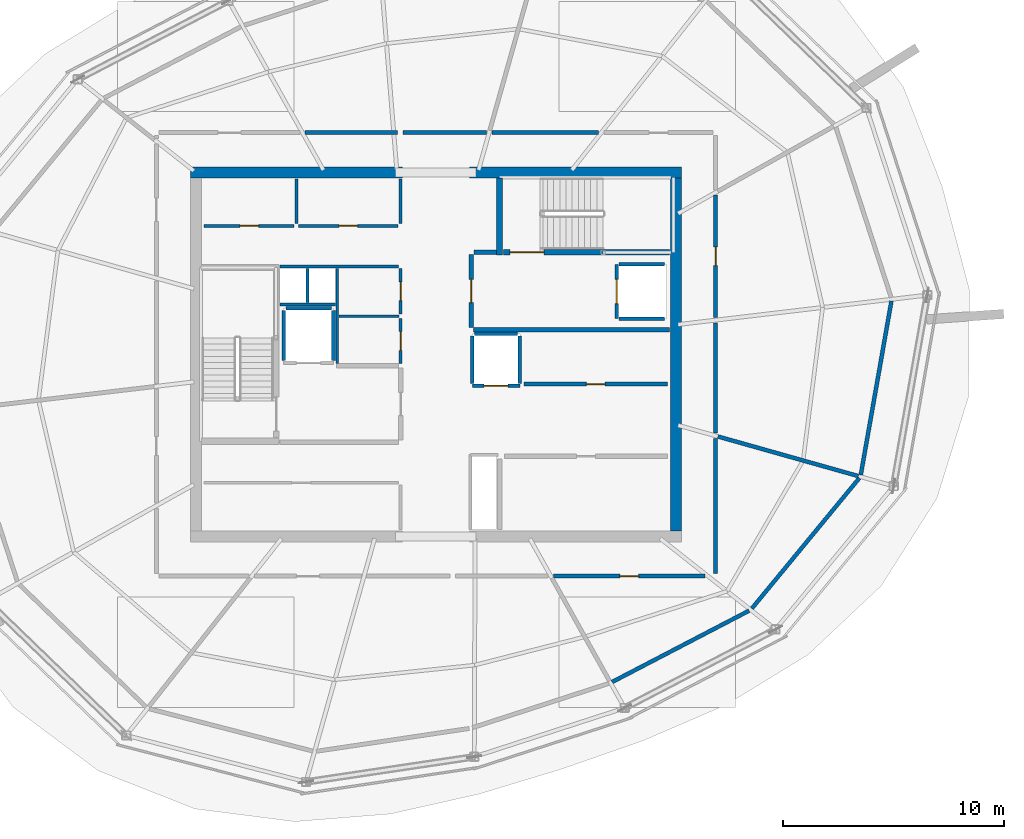
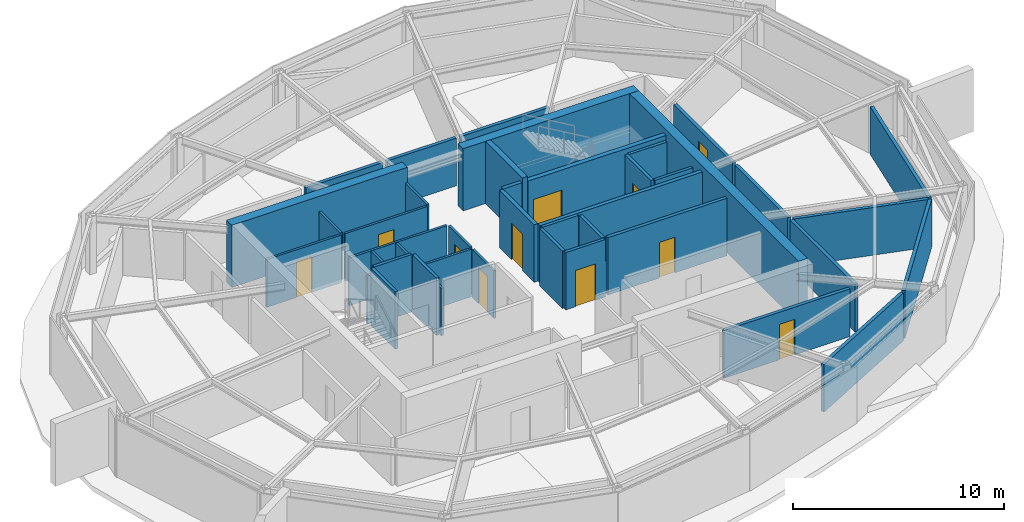
# One storey, part 8 of 10: 41 walls, 11 doors, 11 openings.
"""IFC4 building model written with IfcOpenShell, lengths in metres."""

from ifc_helpers import new_model, si_unit, direction, frame, frame_2d, origin, place, context, subcontext, project, spatial, rectangle, extrude, material, layer, layer_set, type_object, element, fill, save


model = new_model("IFC4")

# Units and contexts
model_context = context("Model", 3, precision=1e-05, world=origin(), true_north=direction((0.0, 1.0)))
body_context = subcontext(model_context, "Body", "Model", "MODEL_VIEW")
ifc_project = project(units=[si_unit("LENGTHUNIT", "METRE"), si_unit("AREAUNIT", "SQUARE_METRE"), si_unit("VOLUMEUNIT", "CUBIC_METRE"), si_unit("PLANEANGLEUNIT", "RADIAN"), si_unit("MASSUNIT", "GRAM", prefix="KILO")], contexts=[model_context])

# Site, building, storey
site_placement = place(None, origin())
site = spatial("IfcSite", under=ifc_project, at=site_placement, CompositionType="ELEMENT")
building_placement = place(site_placement, origin())
building = spatial("IfcBuilding", under=site, at=building_placement, Name="Kazma Halo Residences", CompositionType="ELEMENT")
storey_placement = place(building_placement, frame((0.0, 0.0, 366.800048828125)))
storey = spatial("IfcBuildingStorey", under=building, at=storey_placement, Name="L92", CompositionType="ELEMENT", Elevation=366.800048828125)

# Walls
ifc_material_1 = material(Name="Concrete C60/75", Category="concrete")
ifc_layer_1 = layer(ifc_material_1, 0.5)
ifc_layer_set_1 = layer_set([ifc_layer_1], Name="Concrete C60/75")
wall_type_1 = type_object("IfcWallType", Name="WL-CORE-500", PredefinedType="SHEAR", material=ifc_layer_set_1)
wall_1_placement = place(storey_placement, frame((37.300048828125, 50.25, 0.0), z_axis=(0.0, 0.0, 1.0), x_axis=(1.0, 0.0, 0.0)))
element("IfcWall", 1, at=wall_1_placement, inside=storey, type_object=wall_type_1, Name="L92 central core shear wall NW", PredefinedType="SHEAR", context=body_context, shape_type="SweptSolid", body=[
    extrude(rectangle(XDim=9.599853515625, YDim=0.5, at=frame_2d((4.7998046875, 0.0))), origin(), (0.0, 0.0, 1.0), 3.599853515625),
])
wall_2_placement = place(storey_placement, frame((49.949951171875, 50.25, 0.0), z_axis=(0.0, 0.0, 1.0), x_axis=(1.0, 0.0, 0.0)))
element("IfcWall", 2, at=wall_2_placement, inside=storey, type_object=wall_type_1, Name="L92 central core shear wall NE", PredefinedType="SHEAR", context=body_context, shape_type="SweptSolid", body=[
    extrude(rectangle(XDim=9.60009765625, YDim=0.5, at=frame_2d((4.800048828125, 0.0))), origin(), (0.0, 0.0, 1.0), 3.599853515625),
])
wall_3_placement = place(storey_placement, frame((59.300048828125, 34.0, 0.0), z_axis=(0.0, 0.0, 1.0), x_axis=(0.0, 1.0, 0.0)))
element("IfcWall", 3, at=wall_3_placement, inside=storey, type_object=wall_type_1, Name="L92 central core shear wall E", PredefinedType="SHEAR", context=body_context, shape_type="SweptSolid", body=[
    extrude(rectangle(XDim=16.0, YDim=0.5, at=frame_2d((8.0, 0.0))), origin(), (0.0, 0.0, 1.0), 3.599853515625),
])
ifc_layer_2 = layer(ifc_material_1, 0.280029296875)
ifc_layer_set_2 = layer_set([ifc_layer_2], Name="Concrete C60/75")
wall_type_2 = type_object("IfcWallType", Name="WL-CORE-ST-280", PredefinedType="SHEAR", material=ifc_layer_set_2)
wall_4_placement = place(storey_placement, frame((51.31005859375, 46.5, 0.0), z_axis=(0.0, 0.0, 1.0), x_axis=(0.0, 1.0, 0.0)))
element("IfcWall", 4, at=wall_4_placement, inside=storey, type_object=wall_type_2, Name="L92 stairwell bearing wall ST02-W", PredefinedType="SHEAR", context=body_context, shape_type="SweptSolid", body=[
    extrude(rectangle(XDim=3.5, YDim=0.280029296875, at=frame_2d((1.75, 0.0))), origin(), (0.0, 0.0, 1.0), 3.599853515625),
])
ifc_material_2 = material(Name="Acoustic Twin-Stud Gypsum")
ifc_layer_3 = layer(ifc_material_2, 0.179931640625)
ifc_layer_set_3 = layer_set([ifc_layer_3], Name="Acoustic Twin-Stud Gypsum")
wall_type_3 = type_object("IfcWallType", Name="WL-DEM-180", PredefinedType="PARTITIONING", material=ifc_layer_set_3)
wall_5_placement = place(storey_placement, frame((56.409912109375, 27.14697265625, 0.0), z_axis=(0.0, 0.0, 1.0), x_axis=(0.886949494865, 0.461866423935, 0.0)))
element("IfcWall", 5, at=wall_5_placement, inside=storey, type_object=wall_type_3, Name="L92 crown plant perimeter wall 12", PredefinedType="PARTITIONING", context=body_context, shape_type="SweptSolid", body=[
    extrude(rectangle(XDim=7.002197265625, YDim=0.179931640625, at=frame_2d((3.5009765625, 0.0))), origin(), (0.0, 0.0, 1.0), 2.760009765625),
])
wall_6_placement = place(storey_placement, frame((62.742431640625, 30.479736328125, 0.0), z_axis=(0.0, 0.0, 1.0), x_axis=(0.636018833443, 0.771673534278, 0.0)))
element("IfcWall", 6, at=wall_6_placement, inside=storey, type_object=wall_type_3, Name="L92 crown plant perimeter wall 13", PredefinedType="PARTITIONING", context=body_context, shape_type="SweptSolid", body=[
    extrude(rectangle(XDim=7.661376953125, YDim=0.179931640625, at=frame_2d((3.83056640625, 0.0))), origin(), (0.0, 0.0, 1.0), 2.760009765625),
])
wall_7_placement = place(storey_placement, frame((67.679931640625, 36.532470703125, 0.0), z_axis=(0.0, 0.0, 1.0), x_axis=(0.173668776466, 0.984804120666, 0.0)))
element("IfcWall", 7, at=wall_7_placement, inside=storey, type_object=wall_type_3, Name="L92 crown plant perimeter wall 14", PredefinedType="PARTITIONING", context=body_context, shape_type="SweptSolid", body=[
    extrude(rectangle(XDim=8.005859375, YDim=0.179931640625, at=frame_2d((4.0029296875, 0.0))), origin(), (0.0, 0.0, 1.0), 2.760009765625),
])
wall_8_placement = place(storey_placement, frame((50.71435546875, 52.050048828125, 0.0), z_axis=(0.0, 0.0, 1.0), x_axis=(-1.0, 0.0, 0.0)))
element("IfcWall", 8, at=wall_8_placement, inside=storey, type_object=wall_type_3, Name="L92 L92 District Cooling Chiller Plant Room corridor wall", PredefinedType="PARTITIONING", context=body_context, shape_type="SweptSolid", body=[
    extrude(rectangle(XDim=3.783935546875, YDim=0.179931640625, at=frame_2d((1.89208984375, 0.0))), origin(), (0.0, 0.0, 1.0), 2.760009765625),
])
wall_9_placement = place(storey_placement, frame((46.6904296875, 52.050048828125, 0.0), z_axis=(0.0, 0.0, 1.0), x_axis=(-1.0, 0.0, 0.0)))
element("IfcWall", 9, at=wall_9_placement, inside=storey, type_object=wall_type_3, Name="L92 L92 District Cooling Chiller Plant Room corridor wall", PredefinedType="PARTITIONING", context=body_context, shape_type="SweptSolid", body=[
    extrude(rectangle(XDim=4.19873046875, YDim=0.179931640625, at=frame_2d((2.099365234375, 0.0))), origin(), (0.0, 0.0, 1.0), 2.760009765625),
])

# Wall, opening, door
wall_10_placement = place(storey_placement, frame((53.748291015625, 31.949951171875, 0.0), z_axis=(0.0, 0.0, 1.0), x_axis=(1.0, 0.0, 0.0)))
wall_10 = element("IfcWall", 10, at=wall_10_placement, inside=storey, type_object=wall_type_3, Name="L92 L92 Domestic Break Water Tank Room corridor wall", PredefinedType="PARTITIONING", context=body_context, shape_type="SweptSolid", body=[
    extrude(rectangle(XDim=6.880126953125, YDim=0.179931640625, at=frame_2d((3.43994140625, 0.0))), origin(), (0.0, 0.0, 1.0), 2.760009765625),
])
opening_1_placement = place(wall_10_placement, frame((3.014892578125, 0.0, 0.0)))
opening_1 = element("IfcOpeningElement", 11, at=opening_1_placement, cuts=wall_10, Name="Opening DS-850", PredefinedType="OPENING", context=body_context, shape_type="SweptSolid", body=[
    extrude(rectangle(XDim=0.85009765625, YDim=2.06005859375, at=frame_2d((0.425048828125, 1.030029296875))), frame((0.0, 0.099853515625, 0.0), z_axis=(0.0, -1.0, 0.0), x_axis=(1.0, 0.0, 0.0)), (0.0, 0.0, 1.0), 0.199951171875),
])
ifc_material_3 = material(Name="Painted Steel Access Leaf", Category="steel")
door_type_1 = type_object("IfcDoorType", Name="DR-SVC-850", OperationType="NOTDEFINED", PredefinedType="DOOR", material=ifc_material_3)
door_1_placement = place(opening_1_placement, origin())
door_1 = element("IfcDoor", 12, at=door_1_placement, inside=storey, type_object=door_type_1, Name="L92 L92 Domestic Break Water Tank Room door", OperationType="SINGLE_SWING_RIGHT", OverallHeight=2.06005859375, OverallWidth=0.85009765625, PredefinedType="DOOR", context=body_context, shape_type="SweptSolid", body=[
    extrude(rectangle(XDim=0.85009765625, YDim=2.06005859375, at=frame_2d((0.425048828125, 1.030029296875))), frame((0.0, 0.02490234375, 0.0), z_axis=(0.0, -1.0, 0.0), x_axis=(1.0, 0.0, 0.0)), (0.0, 0.0, 1.0), 0.050048828125),
])
fill(opening_1, door_1)

# Walls
wall_11_placement = place(storey_placement, frame((61.10009765625, 32.070068359375, 0.0), z_axis=(0.0, 0.0, 1.0), x_axis=(0.0, 1.0, 0.0)))
element("IfcWall", 13, at=wall_11_placement, inside=storey, type_object=wall_type_3, Name="L92 L92 Domestic Break Water Tank Room corridor wall", PredefinedType="PARTITIONING", context=body_context, shape_type="SweptSolid", body=[
    extrude(rectangle(XDim=6.115234375, YDim=0.179931640625, at=frame_2d((3.0576171875, 0.0))), origin(), (0.0, 0.0, 1.0), 2.760009765625),
])
wall_12_placement = place(storey_placement, frame((61.205810546875, 38.275390625, 0.0), z_axis=(0.0, 0.0, 1.0), x_axis=(0.962461547865, -0.271418070294, 0.0)))
element("IfcWall", 14, at=wall_12_placement, inside=storey, type_object=wall_type_3, Name="L92 radial partition wall 14", PredefinedType="PARTITIONING", context=body_context, shape_type="SweptSolid", body=[
    extrude(rectangle(XDim=6.6123046875, YDim=0.179931640625, at=frame_2d((3.30615234375, 0.0))), origin(), (0.0, 0.0, 1.0), 2.760009765625),
])
wall_13_placement = place(storey_placement, frame((61.10009765625, 38.42529296875, 0.0), z_axis=(0.0, 0.0, 1.0), x_axis=(0.0, 1.0, 0.0)))
element("IfcWall", 15, at=wall_13_placement, inside=storey, type_object=wall_type_3, Name="L92 L92 HV Switchgear Plant Room corridor wall", PredefinedType="PARTITIONING", context=body_context, shape_type="SweptSolid", body=[
    extrude(rectangle(XDim=5.005126953125, YDim=0.179931640625, at=frame_2d((2.50244140625, 0.0))), origin(), (0.0, 0.0, 1.0), 2.760009765625),
])

# Wall, opening, door
wall_14_placement = place(storey_placement, frame((61.10009765625, 43.67041015625, 0.0), z_axis=(0.0, 0.0, 1.0), x_axis=(0.0, 1.0, 0.0)))
wall_14 = element("IfcWall", 16, at=wall_14_placement, inside=storey, type_object=wall_type_3, Name="L92 L92 HV Switchgear Plant Room corridor wall", PredefinedType="PARTITIONING", context=body_context, shape_type="SweptSolid", body=[
    extrude(rectangle(XDim=5.5458984375, YDim=0.179931640625, at=frame_2d((2.77294921875, 0.0))), origin(), (0.0, 0.0, 1.0), 2.760009765625),
])
opening_2_placement = place(wall_14_placement, frame((2.347900390625, 0.0, 0.0)))
opening_2 = element("IfcOpeningElement", 17, at=opening_2_placement, cuts=wall_14, Name="Opening DS-850", PredefinedType="OPENING", context=body_context, shape_type="SweptSolid", body=[
    extrude(rectangle(XDim=0.85009765625, YDim=2.06005859375, at=frame_2d((0.425048828125, 1.030029296875))), frame((0.0, 0.099853515625, 0.0), z_axis=(0.0, -1.0, 0.0), x_axis=(1.0, 0.0, 0.0)), (0.0, 0.0, 1.0), 0.199951171875),
])
door_2_placement = place(opening_2_placement, origin())
door_2 = element("IfcDoor", 18, at=door_2_placement, inside=storey, type_object=door_type_1, Name="L92 L92 HV Switchgear Plant Room door", OperationType="SINGLE_SWING_LEFT", OverallHeight=2.06005859375, OverallWidth=0.85009765625, PredefinedType="DOOR", context=body_context, shape_type="SweptSolid", body=[
    extrude(rectangle(XDim=0.85009765625, YDim=2.06005859375, at=frame_2d((0.425048828125, 1.030029296875))), frame((0.0, 0.02490234375, 0.0), z_axis=(0.0, -1.0, 0.0), x_axis=(1.0, 0.0, 0.0)), (0.0, 0.0, 1.0), 0.050048828125),
])
fill(opening_2, door_2)

# Walls
wall_15_placement = place(storey_placement, frame((55.802734375, 52.050048828125, 0.0), z_axis=(0.0, 0.0, 1.0), x_axis=(-1.0, 0.0, 0.0)))
element("IfcWall", 19, at=wall_15_placement, inside=storey, type_object=wall_type_3, Name="L92 L92 Lift Machine Mechanical Plant Room corridor wall", PredefinedType="PARTITIONING", context=body_context, shape_type="SweptSolid", body=[
    extrude(rectangle(XDim=4.848388671875, YDim=0.179931640625, at=frame_2d((2.42431640625, 0.0))), origin(), (0.0, 0.0, 1.0), 2.760009765625),
])
ifc_material_4 = material(Name="Fire-Rated Blockwork Masonry", Category="masonry")
ifc_layer_4 = layer(ifc_material_4, 0.199951171875)
ifc_layer_set_4 = layer_set([ifc_layer_4], Name="Fire-Rated Blockwork Masonry")
wall_type_4 = type_object("IfcWallType", Name="WL-FLB-200", PredefinedType="PARTITIONING", material=ifc_layer_set_4)
for number, where, z_axis, x_axis, name in (
    (20, (43.780029296875, 41.719970703125, 0.0), (0.0, 0.0, 1.0), (0.0, 1.0, 0.0), "L92 lift shaft FL-01 side wall E"),
    (21, (41.52001953125, 41.719970703125, 0.0), (0.0, 0.0, 1.0), (0.0, 1.0, 0.0), "L92 lift shaft FL-01 side wall W"),
):
    element("IfcWall", number, at=place(storey_placement, frame(where, z_axis=z_axis, x_axis=x_axis)), inside=storey, type_object=wall_type_4, Name=name, PredefinedType="PARTITIONING", context=body_context, shape_type="SweptSolid", body=[
        extrude(rectangle(XDim=2.260009765625, YDim=0.159912109375, at=frame_2d((1.1298828125, 0.0))), origin(), (0.0, 0.0, 1.0), 3.320068359375),
    ])
wall_16_placement = place(storey_placement, frame((41.6201171875, 44.080078125, 0.0), z_axis=(0.0, 0.0, 1.0), x_axis=(1.0, 0.0, 0.0)))
element("IfcWall", 22, at=wall_16_placement, inside=storey, type_object=wall_type_4, Name="L92 lift shaft FL-01 side wall N", PredefinedType="PARTITIONING", context=body_context, shape_type="SweptSolid", body=[
    extrude(rectangle(XDim=2.059814453125, YDim=0.159912109375, at=frame_2d((1.02978515625, 0.0))), origin(), (0.0, 0.0, 1.0), 3.320068359375),
])

# Wall, opening, door
wall_17_placement = place(storey_placement, frame((56.6201171875, 46.080078125, 0.0), z_axis=(0.0, 0.0, 1.0), x_axis=(0.0, -1.0, 0.0)))
wall_17 = element("IfcWall", 23, at=wall_17_placement, inside=storey, type_object=wall_type_4, Name="L92 lift shaft FL-02 front wall", PredefinedType="PARTITIONING", context=body_context, shape_type="SweptSolid", body=[
    extrude(rectangle(XDim=2.4599609375, YDim=0.159912109375, at=frame_2d((1.22998046875, 0.0))), origin(), (0.0, 0.0, 1.0), 3.320068359375),
])
opening_3_placement = place(wall_17_placement, frame((0.679931640625, 0.0, 0.0)))
opening_3 = element("IfcOpeningElement", 24, at=opening_3_placement, cuts=wall_17, Name="Opening LD-FL-02", PredefinedType="OPENING", context=body_context, shape_type="SweptSolid", body=[
    extrude(rectangle(XDim=1.10009765625, YDim=2.10009765625, at=frame_2d((0.550048828125, 1.050048828125))), frame((0.0, 0.08984375, 0.0), z_axis=(0.0, -1.0, 0.0), x_axis=(1.0, 0.0, 0.0)), (0.0, 0.0, 1.0), 0.179931640625),
])
ifc_material_5 = material(Name="Stainless Steel Fire-Rated", Category="steel")
door_type_2 = type_object("IfcDoorType", Name="DR-LIFT-SLD-1100", OperationType="DOUBLE_DOOR_SLIDING", PredefinedType="DOOR", material=ifc_material_5)
door_3_placement = place(opening_3_placement, origin())
door_3 = element("IfcDoor", 25, at=door_3_placement, inside=storey, type_object=door_type_2, Name="L92 lift FL-02 sliding landing door", OperationType="DOUBLE_DOOR_SLIDING", OverallHeight=2.10009765625, OverallWidth=1.10009765625, PredefinedType="DOOR", context=body_context, shape_type="SweptSolid", body=[
    extrude(rectangle(XDim=1.10009765625, YDim=2.10009765625, at=frame_2d((0.550048828125, 1.050048828125))), frame((0.0, 0.02490234375, 0.0), z_axis=(0.0, -1.0, 0.0), x_axis=(1.0, 0.0, 0.0)), (0.0, 0.0, 1.0), 0.050048828125),
])
fill(opening_3, door_3)

# Walls
for number, where, z_axis, x_axis, name in (
    (26, (56.719970703125, 46.080078125, 0.0), (0.0, 0.0, 1.0), (1.0, 0.0, 0.0), "L92 lift shaft FL-02 side wall N"),
    (27, (56.719970703125, 43.6201171875, 0.0), (0.0, 0.0, 1.0), (1.0, 0.0, 0.0), "L92 lift shaft FL-02 side wall S"),
):
    element("IfcWall", number, at=place(storey_placement, frame(where, z_axis=z_axis, x_axis=x_axis)), inside=storey, type_object=wall_type_4, Name=name, PredefinedType="PARTITIONING", context=body_context, shape_type="SweptSolid", body=[
        extrude(rectangle(XDim=2.06005859375, YDim=0.159912109375, at=frame_2d((1.030029296875, 0.0))), origin(), (0.0, 0.0, 1.0), 3.320068359375),
    ])

# Wall, opening, door
wall_18_placement = place(storey_placement, frame((52.22998046875, 40.570068359375, 0.0), z_axis=(0.0, 0.0, 1.0), x_axis=(-1.0, 0.0, 0.0)))
wall_18 = element("IfcWall", 28, at=wall_18_placement, inside=storey, type_object=wall_type_4, Name="L92 lift shaft SV-01 front wall", PredefinedType="PARTITIONING", context=body_context, shape_type="SweptSolid", body=[
    extrude(rectangle(XDim=2.159912109375, YDim=0.159912109375, at=frame_2d((1.080078125, 0.0))), origin(), (0.0, 0.0, 1.0), 3.320068359375),
])
opening_4_placement = place(wall_18_placement, frame((0.530029296875, 0.0, 0.0)))
opening_4 = element("IfcOpeningElement", 29, at=opening_4_placement, cuts=wall_18, Name="Opening LD-SV-01", PredefinedType="OPENING", context=body_context, shape_type="SweptSolid", body=[
    extrude(rectangle(XDim=1.10009765625, YDim=2.10009765625, at=frame_2d((0.550048828125, 1.050048828125))), frame((0.0, 0.08984375, 0.0), z_axis=(0.0, -1.0, 0.0), x_axis=(1.0, 0.0, 0.0)), (0.0, 0.0, 1.0), 0.179931640625),
])
door_4_placement = place(opening_4_placement, origin())
door_4 = element("IfcDoor", 30, at=door_4_placement, inside=storey, type_object=door_type_2, Name="L92 lift SV-01 sliding landing door", OperationType="DOUBLE_DOOR_SLIDING", OverallHeight=2.10009765625, OverallWidth=1.10009765625, PredefinedType="DOOR", context=body_context, shape_type="SweptSolid", body=[
    extrude(rectangle(XDim=1.10009765625, YDim=2.10009765625, at=frame_2d((0.550048828125, 1.050048828125))), frame((0.0, 0.02490234375, 0.0), z_axis=(0.0, -1.0, 0.0), x_axis=(1.0, 0.0, 0.0)), (0.0, 0.0, 1.0), 0.050048828125),
])
fill(opening_4, door_4)

# Walls
for number, where, z_axis, x_axis, name in (
    (31, (52.22998046875, 40.669921875, 0.0), (0.0, 0.0, 1.0), (0.0, 1.0, 0.0), "L92 lift shaft SV-01 side wall E"),
    (32, (50.070068359375, 40.669921875, 0.0), (0.0, 0.0, 1.0), (0.0, 1.0, 0.0), "L92 lift shaft SV-01 side wall W"),
):
    element("IfcWall", number, at=place(storey_placement, frame(where, z_axis=z_axis, x_axis=x_axis)), inside=storey, type_object=wall_type_4, Name=name, PredefinedType="PARTITIONING", context=body_context, shape_type="SweptSolid", body=[
        extrude(rectangle(XDim=2.16015625, YDim=0.159912109375, at=frame_2d((1.080078125, 0.0))), origin(), (0.0, 0.0, 1.0), 3.320068359375),
    ])
wall_19_placement = place(storey_placement, frame((50.169921875, 42.929931640625, 0.0), z_axis=(0.0, 0.0, 1.0), x_axis=(1.0, 0.0, 0.0)))
element("IfcWall", 33, at=wall_19_placement, inside=storey, type_object=wall_type_4, Name="L92 lift shaft SV-01 side wall N", PredefinedType="PARTITIONING", context=body_context, shape_type="SweptSolid", body=[
    extrude(rectangle(XDim=1.9599609375, YDim=0.159912109375, at=frame_2d((0.97998046875, 0.0))), origin(), (0.0, 0.0, 1.0), 3.320068359375),
])

# Wall, opening, door
wall_20_placement = place(storey_placement, frame((52.419921875, 40.64990234375, 0.0), z_axis=(0.0, 0.0, 1.0), x_axis=(1.0, 0.0, 0.0)))
wall_20 = element("IfcWall", 34, at=wall_20_placement, inside=storey, type_object=wall_type_4, Name="L92 core east reserve wall", PredefinedType="PARTITIONING", context=body_context, shape_type="SweptSolid", body=[
    extrude(rectangle(XDim=6.5, YDim=0.179931640625, at=frame_2d((3.25, 0.0))), origin(), (0.0, 0.0, 1.0), 3.320068359375),
])
opening_5_placement = place(wall_20_placement, frame((2.824951171875, 0.0, 0.0)))
opening_5 = element("IfcOpeningElement", 35, at=opening_5_placement, cuts=wall_20, Name="Opening DS-850", PredefinedType="OPENING", context=body_context, shape_type="SweptSolid", body=[
    extrude(rectangle(XDim=0.85009765625, YDim=2.06005859375, at=frame_2d((0.425048828125, 1.030029296875))), frame((0.0, 0.099853515625, 0.0), z_axis=(0.0, -1.0, 0.0), x_axis=(1.0, 0.0, 0.0)), (0.0, 0.0, 1.0), 0.199951171875),
])
door_5_placement = place(opening_5_placement, origin())
door_5 = element("IfcDoor", 36, at=door_5_placement, inside=storey, type_object=door_type_1, Name="L92 core east reserve door", OperationType="SINGLE_SWING_LEFT", OverallHeight=2.06005859375, OverallWidth=0.85009765625, PredefinedType="DOOR", context=body_context, shape_type="SweptSolid", body=[
    extrude(rectangle(XDim=0.85009765625, YDim=2.06005859375, at=frame_2d((0.425048828125, 1.030029296875))), frame((0.0, 0.02490234375, 0.0), z_axis=(0.0, -1.0, 0.0), x_axis=(1.0, 0.0, 0.0)), (0.0, 0.0, 1.0), 0.050048828125),
])
fill(opening_5, door_5)

# Walls
wall_21_placement = place(storey_placement, frame((50.1201171875, 43.1201171875, 0.0), z_axis=(0.0, 0.0, 1.0), x_axis=(1.0, 0.0, 0.0)))
element("IfcWall", 37, at=wall_21_placement, inside=storey, type_object=wall_type_4, Name="L92 east firefighting lobby south smoke wall", PredefinedType="PARTITIONING", context=body_context, shape_type="SweptSolid", body=[
    extrude(rectangle(XDim=8.8798828125, YDim=0.199951171875, at=frame_2d((4.43994140625, 0.0))), origin(), (0.0, 0.0, 1.0), 3.320068359375),
])
wall_22_placement = place(storey_placement, frame((50.139892578125, 46.6201171875, 0.0), z_axis=(0.0, 0.0, 1.0), x_axis=(1.0, 0.0, 0.0)))
element("IfcWall", 38, at=wall_22_placement, inside=storey, type_object=wall_type_4, Name="L92 east firefighting lobby north closure wall", PredefinedType="PARTITIONING", context=body_context, shape_type="SweptSolid", body=[
    extrude(rectangle(XDim=1.02001953125, YDim=0.199951171875, at=frame_2d((0.510009765625, 0.0))), origin(), (0.0, 0.0, 1.0), 3.320068359375),
])

# Wall, opening, door
wall_23_placement = place(storey_placement, frame((50.02001953125, 43.219970703125, 0.0), z_axis=(0.0, 0.0, 1.0), x_axis=(0.0, 1.0, 0.0)))
wall_23 = element("IfcWall", 39, at=wall_23_placement, inside=storey, type_object=wall_type_4, Name="L92 east firefighting lobby smoke wall", PredefinedType="PARTITIONING", context=body_context, shape_type="SweptSolid", body=[
    extrude(rectangle(XDim=3.300048828125, YDim=0.199951171875, at=frame_2d((1.64990234375, 0.0))), origin(), (0.0, 0.0, 1.0), 3.320068359375),
])
opening_6_placement = place(wall_23_placement, frame((1.125, 0.0, 0.0)))
opening_6 = element("IfcOpeningElement", 40, at=opening_6_placement, cuts=wall_23, Name="Opening D-FLE", PredefinedType="OPENING", context=body_context, shape_type="SweptSolid", body=[
    extrude(rectangle(XDim=1.050048828125, YDim=2.10009765625, at=frame_2d((0.52490234375, 1.050048828125))), frame((0.0, 0.10986328125, 0.0), z_axis=(0.0, -1.0, 0.0), x_axis=(1.0, 0.0, 0.0)), (0.0, 0.0, 1.0), 0.219970703125),
])
ifc_material_6 = material(Name="Fire-Rated Steel Leaf", Category="steel")
door_type_3 = type_object("IfcDoorType", Name="DR-FD90-1050", OperationType="NOTDEFINED", PredefinedType="DOOR", material=ifc_material_6)
door_6_placement = place(opening_6_placement, origin())
door_6 = element("IfcDoor", 41, at=door_6_placement, inside=storey, type_object=door_type_3, Name="L92 east firefighting lobby smoke door", OperationType="SINGLE_SWING_RIGHT", OverallHeight=2.10009765625, OverallWidth=1.050048828125, PredefinedType="DOOR", context=body_context, shape_type="SweptSolid", body=[
    extrude(rectangle(XDim=1.050048828125, YDim=2.10009765625, at=frame_2d((0.52490234375, 1.050048828125))), frame((0.0, 0.02490234375, 0.0), z_axis=(0.0, -1.0, 0.0), x_axis=(1.0, 0.0, 0.0)), (0.0, 0.0, 1.0), 0.050048828125),
])
fill(opening_6, door_6)

# Walls
ifc_material_7 = material(Name="Gypsum Plasterboard Partition")
ifc_layer_5 = layer(ifc_material_7, 0.125)
ifc_layer_set_5 = layer_set([ifc_layer_5], Name="Gypsum Plasterboard Partition")
wall_type_5 = type_object("IfcWallType", Name="WL-PART-125", PredefinedType="PARTITIONING", material=ifc_layer_set_5)
for number, where, z_axis, x_axis, name in (
    (42, (46.820068359375, 47.919921875, 0.0), (0.0, 0.0, 1.0), (0.0, 1.0, 0.0), "L92 reclaimed north east wall"),
    (43, (42.10009765625, 47.919921875, 0.0), (0.0, 0.0, 1.0), (0.0, 1.0, 0.0), "L92 reclaimed north divider wall"),
):
    element("IfcWall", number, at=place(storey_placement, frame(where, z_axis=z_axis, x_axis=x_axis)), inside=storey, type_object=wall_type_5, Name=name, PredefinedType="PARTITIONING", context=body_context, shape_type="SweptSolid", body=[
        extrude(rectangle(XDim=2.030029296875, YDim=0.125, at=frame_2d((1.01513671875, 0.0))), origin(), (0.0, 0.0, 1.0), 2.760009765625),
    ])

# Wall, opening, door
wall_24_placement = place(storey_placement, frame((37.919921875, 47.820068359375, 0.0), z_axis=(0.0, 0.0, 1.0), x_axis=(1.0, 0.0, 0.0)))
wall_24 = element("IfcWall", 44, at=wall_24_placement, inside=storey, type_object=wall_type_5, Name="L92 reclaimed north W front wall", PredefinedType="PARTITIONING", context=body_context, shape_type="SweptSolid", body=[
    extrude(rectangle(XDim=4.080078125, YDim=0.125, at=frame_2d((2.0400390625, 0.0))), origin(), (0.0, 0.0, 1.0), 2.760009765625),
])
opening_7_placement = place(wall_24_placement, frame((1.614990234375, 0.0, 0.0)))
opening_7 = element("IfcOpeningElement", 45, at=opening_7_placement, cuts=wall_24, Name="Opening DS-850", PredefinedType="OPENING", context=body_context, shape_type="SweptSolid", body=[
    extrude(rectangle(XDim=0.85009765625, YDim=2.06005859375, at=frame_2d((0.425048828125, 1.030029296875))), frame((0.0, 0.072509765625, 0.0), z_axis=(0.0, -1.0, 0.0), x_axis=(1.0, 0.0, 0.0)), (0.0, 0.0, 1.0), 0.14501953125),
])
door_7_placement = place(opening_7_placement, origin())
door_7 = element("IfcDoor", 46, at=door_7_placement, inside=storey, type_object=door_type_1, Name="L92 reclaimed north W door", OperationType="SINGLE_SWING_RIGHT", OverallHeight=2.06005859375, OverallWidth=0.85009765625, PredefinedType="DOOR", context=body_context, shape_type="SweptSolid", body=[
    extrude(rectangle(XDim=0.85009765625, YDim=2.06005859375, at=frame_2d((0.425048828125, 1.030029296875))), frame((0.0, 0.02490234375, 0.0), z_axis=(0.0, -1.0, 0.0), x_axis=(1.0, 0.0, 0.0)), (0.0, 0.0, 1.0), 0.050048828125),
])
fill(opening_7, door_7)

wall_25_placement = place(storey_placement, frame((42.199951171875, 47.820068359375, 0.0), z_axis=(0.0, 0.0, 1.0), x_axis=(1.0, 0.0, 0.0)))
wall_25 = element("IfcWall", 47, at=wall_25_placement, inside=storey, type_object=wall_type_5, Name="L92 reclaimed north E front wall", PredefinedType="PARTITIONING", context=body_context, shape_type="SweptSolid", body=[
    extrude(rectangle(XDim=4.5, YDim=0.125, at=frame_2d((2.25, 0.0))), origin(), (0.0, 0.0, 1.0), 2.760009765625),
])
opening_8_placement = place(wall_25_placement, frame((1.824951171875, 0.0, 0.0)))
opening_8 = element("IfcOpeningElement", 48, at=opening_8_placement, cuts=wall_25, Name="Opening DS-850", PredefinedType="OPENING", context=body_context, shape_type="SweptSolid", body=[
    extrude(rectangle(XDim=0.85009765625, YDim=2.06005859375, at=frame_2d((0.425048828125, 1.030029296875))), frame((0.0, 0.072509765625, 0.0), z_axis=(0.0, -1.0, 0.0), x_axis=(1.0, 0.0, 0.0)), (0.0, 0.0, 1.0), 0.14501953125),
])
door_8_placement = place(opening_8_placement, origin())
door_8 = element("IfcDoor", 49, at=door_8_placement, inside=storey, type_object=door_type_1, Name="L92 reclaimed north E door", OperationType="SINGLE_SWING_LEFT", OverallHeight=2.06005859375, OverallWidth=0.85009765625, PredefinedType="DOOR", context=body_context, shape_type="SweptSolid", body=[
    extrude(rectangle(XDim=0.85009765625, YDim=2.06005859375, at=frame_2d((0.425048828125, 1.030029296875))), frame((0.0, 0.02490234375, 0.0), z_axis=(0.0, -1.0, 0.0), x_axis=(1.0, 0.0, 0.0)), (0.0, 0.0, 1.0), 0.050048828125),
])
fill(opening_8, door_8)

# Walls
wall_26_placement = place(storey_placement, frame((41.360107421875, 45.97998046875, 0.0), z_axis=(0.0, 0.0, 1.0), x_axis=(1.0, 0.0, 0.0)))
element("IfcWall", 50, at=wall_26_placement, inside=storey, type_object=wall_type_5, Name="L92 core north riser wall", PredefinedType="PARTITIONING", context=body_context, shape_type="SweptSolid", body=[
    extrude(rectangle(XDim=5.35986328125, YDim=0.125, at=frame_2d((2.679931640625, 0.0))), origin(), (0.0, 0.0, 1.0), 2.760009765625),
])
wall_27_placement = place(storey_placement, frame((41.360107421875, 44.260009765625, 0.0), z_axis=(0.0, 0.0, 1.0), x_axis=(1.0, 0.0, 0.0)))
element("IfcWall", 51, at=wall_27_placement, inside=storey, type_object=wall_type_5, Name="L92 core riser south wall", PredefinedType="PARTITIONING", context=body_context, shape_type="SweptSolid", body=[
    extrude(rectangle(XDim=2.5, YDim=0.125, at=frame_2d((1.25, 0.0))), origin(), (0.0, 0.0, 1.0), 2.760009765625),
])
wall_28_placement = place(storey_placement, frame((42.60009765625, 44.35009765625, 0.0), z_axis=(0.0, 0.0, 1.0), x_axis=(0.0, 1.0, 0.0)))
element("IfcWall", 52, at=wall_28_placement, inside=storey, type_object=wall_type_5, Name="L92 core riser divider wall", PredefinedType="PARTITIONING", context=body_context, shape_type="SweptSolid", body=[
    extrude(rectangle(XDim=1.5498046875, YDim=0.125, at=frame_2d((0.77490234375, 0.0))), origin(), (0.0, 0.0, 1.0), 2.760009765625),
])
wall_29_placement = place(storey_placement, frame((43.949951171875, 41.580078125, 0.0), z_axis=(0.0, 0.0, 1.0), x_axis=(0.0, 1.0, 0.0)))
element("IfcWall", 53, at=wall_29_placement, inside=storey, type_object=wall_type_5, Name="L92 core service west wall", PredefinedType="PARTITIONING", context=body_context, shape_type="SweptSolid", body=[
    extrude(rectangle(XDim=4.31982421875, YDim=0.125, at=frame_2d((2.159912109375, 0.0))), origin(), (0.0, 0.0, 1.0), 2.760009765625),
])
wall_30_placement = place(storey_placement, frame((44.030029296875, 43.72998046875, 0.0), z_axis=(0.0, 0.0, 1.0), x_axis=(1.0, 0.0, 0.0)))
element("IfcWall", 54, at=wall_30_placement, inside=storey, type_object=wall_type_5, Name="L92 switch/IDF divider", PredefinedType="PARTITIONING", context=body_context, shape_type="SweptSolid", body=[
    extrude(rectangle(XDim=2.7099609375, YDim=0.125, at=frame_2d((1.35498046875, 0.0))), origin(), (0.0, 0.0, 1.0), 2.760009765625),
])

# Wall, opening, door
wall_31_placement = place(storey_placement, frame((46.820068359375, 41.580078125, 0.0), z_axis=(0.0, 0.0, 1.0), x_axis=(0.0, 1.0, 0.0)))
wall_31 = element("IfcWall", 55, at=wall_31_placement, inside=storey, type_object=wall_type_5, Name="L92 electrical switch room east wall", PredefinedType="PARTITIONING", context=body_context, shape_type="SweptSolid", body=[
    extrude(rectangle(XDim=2.0498046875, YDim=0.125, at=frame_2d((1.02490234375, 0.0))), origin(), (0.0, 0.0, 1.0), 2.760009765625),
])
opening_9_placement = place(wall_31_placement, frame((0.60009765625, 0.0, 0.0)))
opening_9 = element("IfcOpeningElement", 56, at=opening_9_placement, cuts=wall_31, Name="Opening DS-850", PredefinedType="OPENING", context=body_context, shape_type="SweptSolid", body=[
    extrude(rectangle(XDim=0.85009765625, YDim=2.06005859375, at=frame_2d((0.425048828125, 1.030029296875))), frame((0.0, 0.072509765625, 0.0), z_axis=(0.0, -1.0, 0.0), x_axis=(1.0, 0.0, 0.0)), (0.0, 0.0, 1.0), 0.14501953125),
])
door_9_placement = place(opening_9_placement, origin())
door_9 = element("IfcDoor", 57, at=door_9_placement, inside=storey, type_object=door_type_1, Name="L92 electrical switch room door", OperationType="SINGLE_SWING_LEFT", OverallHeight=2.06005859375, OverallWidth=0.85009765625, PredefinedType="DOOR", context=body_context, shape_type="SweptSolid", body=[
    extrude(rectangle(XDim=0.85009765625, YDim=2.06005859375, at=frame_2d((0.425048828125, 1.030029296875))), frame((0.0, 0.02490234375, 0.0), z_axis=(0.0, -1.0, 0.0), x_axis=(1.0, 0.0, 0.0)), (0.0, 0.0, 1.0), 0.050048828125),
])
fill(opening_9, door_9)

wall_32_placement = place(storey_placement, frame((46.820068359375, 43.830078125, 0.0), z_axis=(0.0, 0.0, 1.0), x_axis=(0.0, 1.0, 0.0)))
wall_32 = element("IfcWall", 58, at=wall_32_placement, inside=storey, type_object=wall_type_5, Name="L92 telecom IDF room east wall", PredefinedType="PARTITIONING", context=body_context, shape_type="SweptSolid", body=[
    extrude(rectangle(XDim=2.0498046875, YDim=0.125, at=frame_2d((1.02490234375, 0.0))), origin(), (0.0, 0.0, 1.0), 2.760009765625),
])
opening_10_placement = place(wall_32_placement, frame((0.60009765625, 0.0, 0.0)))
opening_10 = element("IfcOpeningElement", 59, at=opening_10_placement, cuts=wall_32, Name="Opening DS-850", PredefinedType="OPENING", context=body_context, shape_type="SweptSolid", body=[
    extrude(rectangle(XDim=0.85009765625, YDim=2.06005859375, at=frame_2d((0.425048828125, 1.030029296875))), frame((0.0, 0.072509765625, 0.0), z_axis=(0.0, -1.0, 0.0), x_axis=(1.0, 0.0, 0.0)), (0.0, 0.0, 1.0), 0.14501953125),
])
door_10_placement = place(opening_10_placement, origin())
door_10 = element("IfcDoor", 60, at=door_10_placement, inside=storey, type_object=door_type_1, Name="L92 telecom IDF room door", OperationType="SINGLE_SWING_RIGHT", OverallHeight=2.06005859375, OverallWidth=0.85009765625, PredefinedType="DOOR", context=body_context, shape_type="SweptSolid", body=[
    extrude(rectangle(XDim=0.85009765625, YDim=2.06005859375, at=frame_2d((0.425048828125, 1.030029296875))), frame((0.0, 0.02490234375, 0.0), z_axis=(0.0, -1.0, 0.0), x_axis=(1.0, 0.0, 0.0)), (0.0, 0.0, 1.0), 0.050048828125),
])
fill(opening_10, door_10)

ifc_material_8 = material(Name="Concrete C50/60", Category="concrete")
ifc_layer_6 = layer(ifc_material_8, 0.25)
ifc_layer_set_6 = layer_set([ifc_layer_6], Name="Concrete C50/60")
wall_type_6 = type_object("IfcWallType", Name="WL-SHF-250", PredefinedType="SOLIDWALL", material=ifc_layer_set_6)
wall_33_placement = place(storey_placement, frame((51.47998046875, 46.6201171875, 0.0), z_axis=(0.0, 0.0, 1.0), x_axis=(1.0, 0.0, 0.0)))
wall_33 = element("IfcWall", 61, at=wall_33_placement, inside=storey, type_object=wall_type_6, Name="L92 exit stair ST-02 enclosure wall", PredefinedType="SOLIDWALL", context=body_context, shape_type="SweptSolid", body=[
    extrude(rectangle(XDim=7.5400390625, YDim=0.25, at=frame_2d((3.77001953125, 0.0))), origin(), (0.0, 0.0, 1.0), 3.320068359375),
])
opening_11_placement = place(wall_33_placement, frame((0.300048828125, 0.0, 0.0)))
opening_11 = element("IfcOpeningElement", 62, at=opening_11_placement, cuts=wall_33, Name="Opening D-ST2", PredefinedType="OPENING", context=body_context, shape_type="SweptSolid", body=[
    extrude(rectangle(XDim=1.550048828125, YDim=2.14990234375, at=frame_2d((0.77490234375, 1.074951171875))), frame((0.0, 0.135009765625, 0.0), z_axis=(0.0, -1.0, 0.0), x_axis=(1.0, 0.0, 0.0)), (0.0, 0.0, 1.0), 0.27001953125),
])
ifc_material_9 = material(Name="Fire-Rated Double Steel Leaf", Category="steel")
door_type_4 = type_object("IfcDoorType", Name="DR-FD90-1550", OperationType="NOTDEFINED", PredefinedType="DOOR", material=ifc_material_9)
door_11_placement = place(opening_11_placement, origin())
door_11 = element("IfcDoor", 63, at=door_11_placement, inside=storey, type_object=door_type_4, Name="L92 exit stair ST-02 fire door", OperationType="DOUBLE_DOOR_SINGLE_SWING", OverallHeight=2.14990234375, OverallWidth=1.550048828125, PredefinedType="DOOR", context=body_context, shape_type="SweptSolid", body=[
    extrude(rectangle(XDim=1.550048828125, YDim=2.14990234375, at=frame_2d((0.77490234375, 1.074951171875))), frame((0.0, 0.02490234375, 0.0), z_axis=(0.0, -1.0, 0.0), x_axis=(1.0, 0.0, 0.0)), (0.0, 0.0, 1.0), 0.050048828125),
])
fill(opening_11, door_11)

save(model, "model.ifc")
